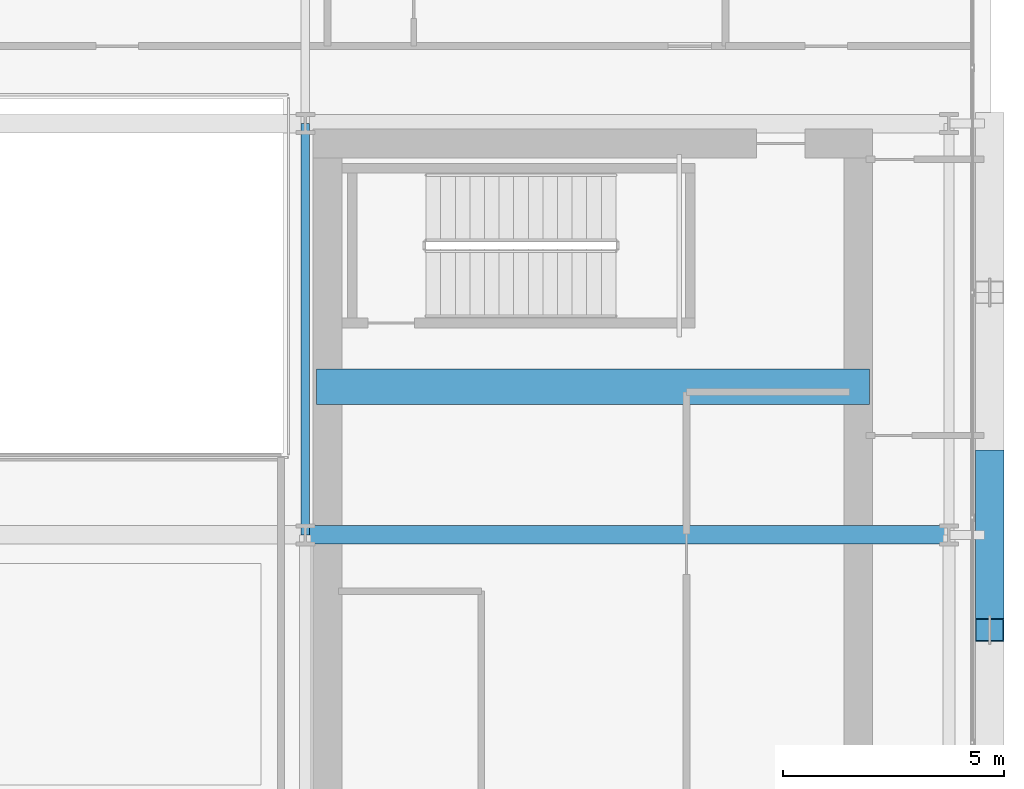
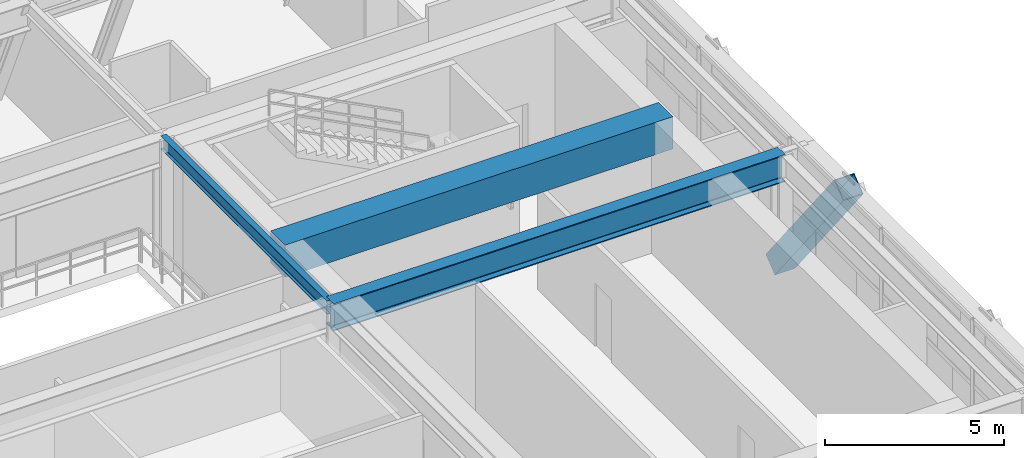
# One storey, part 14 of 35: 3 beams, 1 member.
"""IFC4 building model written with IfcOpenShell, lengths in metres."""

from ifc_helpers import new_model, si_unit, direction, frame, origin, origin_2d, place, context, subcontext, project, spatial, rectangle, hollow_rectangle, i_section, extrude, source, transform, mapped, material, material_profile, profile_set, type_object, element, save


model = new_model("IFC4")

# Units and contexts
model_context = context("Model", 3, precision=1e-05, world=origin(), true_north=direction((0.0, 1.0)))
body_context = subcontext(model_context, "Body", "Model", "MODEL_VIEW")
ifc_project = project(units=[si_unit("LENGTHUNIT", "METRE"), si_unit("AREAUNIT", "SQUARE_METRE"), si_unit("VOLUMEUNIT", "CUBIC_METRE"), si_unit("PLANEANGLEUNIT", "RADIAN"), si_unit("MASSUNIT", "GRAM", prefix="KILO")], contexts=[model_context])

# Site, building, storey
site_placement = place(None, origin())
site = spatial("IfcSite", under=ifc_project, at=site_placement, CompositionType="ELEMENT")
building_placement = place(site_placement, origin())
building = spatial("IfcBuilding", under=site, at=building_placement, Name="Ocotamira Hotel", CompositionType="ELEMENT")
storey_placement = place(building_placement, frame((0.0, 0.0, 158.39990234375)))
storey = spatial("IfcBuildingStorey", under=building, at=storey_placement, Name="L39", CompositionType="ELEMENT", Elevation=158.39990234375)

# Beams
ifc_material_1 = material(Name="Concrete C60/75", Category="concrete")
ifc_material_profile_1 = material_profile(ifc_material_1, rectangle(XDim=0.800048828125, YDim=1.10009765625, at=origin_2d()), Name="RC800X1100")
ifc_profile_set_1 = profile_set([ifc_material_profile_1], Name="Concrete C60/75")
beam_type_1 = type_object("IfcBeamType", Name="BM-LINK-RC800", PredefinedType="LINTEL", material=ifc_profile_set_1)
shared_shape_1 = source(origin(), body_context, "Body", "SweptSolid", [
    extrude(rectangle(XDim=0.800048828125, YDim=1.10009765625, at=origin_2d()), origin(), (0.0, 0.0, 1.0), 12.5),
])
beam_1_placement = place(storey_placement, frame((40.75, 31.5, 4.02001953125), z_axis=(1.0, 0.0, 0.0), x_axis=(0.0, 1.0, 0.0)))
element("IfcBeam", 1, at=beam_1_placement, inside=storey, type_object=beam_type_1, Name="L39 East Core Coupling Beam", PredefinedType="LINTEL", context=body_context, shape_type="MappedRepresentation", body=[
    mapped(shared_shape_1, transform((0.0, 0.0, 0.0), scale=1.0)),
])
ifc_material_2 = material(Name="Steel ASTM A992 Grade 50", Category="steel")
ifc_material_profile_2 = material_profile(ifc_material_2, i_section(OverallWidth=0.41796875, OverallDepth=0.927001953125, WebThickness=0.019287109375, FlangeThickness=0.031982421875, FilletRadius=0.02392578125, at=origin_2d()), Name="W36X231")
ifc_profile_set_2 = profile_set([ifc_material_profile_2], Name="Steel ASTM A992 Grade 50")
beam_type_2 = type_object("IfcBeamType", Name="BM-GIRD-W36X231", PredefinedType="BEAM", material=ifc_profile_set_2)
shared_shape_2 = source(origin(), body_context, "Body", "SweptSolid", [
    extrude(i_section(OverallWidth=0.41796875, OverallDepth=0.927001953125, WebThickness=0.019287109375, FlangeThickness=0.031982421875, FilletRadius=0.02392578125, at=origin_2d()), origin(), (0.0, 0.0, 1.0), 14.550048828125),
])
beam_2_placement = place(storey_placement, frame((40.5, 28.14990234375, 4.106689453125), z_axis=(1.0, 0.0, 0.0), x_axis=(0.0, 1.0, 0.0)))
element("IfcBeam", 2, at=beam_2_placement, inside=storey, type_object=beam_type_2, Name="L39 Girder Y28.15 X40.5-55.05", PredefinedType="BEAM", context=body_context, shape_type="MappedRepresentation", body=[
    mapped(shared_shape_2, transform((0.0, 0.0, 0.0), scale=1.0)),
])
ifc_material_profile_3 = material_profile(ifc_material_2, i_section(OverallWidth=0.18994140625, OverallDepth=0.45703125, WebThickness=0.009033203125, FlangeThickness=0.014404296875, FilletRadius=0.010009765625, at=origin_2d()), Name="W18X50")
ifc_profile_set_3 = profile_set([ifc_material_profile_3], Name="Steel ASTM A992 Grade 50")
beam_type_3 = type_object("IfcBeamType", Name="BM-SEC-W18X50", PredefinedType="JOIST", material=ifc_profile_set_3)
shared_shape_3 = source(origin(), body_context, "Body", "SweptSolid", [
    extrude(i_section(OverallWidth=0.18994140625, OverallDepth=0.45703125, WebThickness=0.009033203125, FlangeThickness=0.014404296875, FilletRadius=0.010009765625, at=origin_2d()), origin(), (0.0, 0.0, 1.0), 9.300048828125),
])
beam_3_placement = place(storey_placement, frame((40.5, 28.14990234375, 4.341552734375), z_axis=(0.0, 1.0, 0.0), x_axis=(-1.0, 0.0, 0.0)))
element("IfcBeam", 3, at=beam_3_placement, inside=storey, type_object=beam_type_3, Name="L39 Beam X40.5 Y28.15-37.45", PredefinedType="JOIST", context=body_context, shape_type="MappedRepresentation", body=[
    mapped(shared_shape_3, transform((0.0, 0.0, 0.0), scale=1.0)),
])

# Member
ifc_material_3 = material(Name="Pale-metal coated steel ASTM A913 Grade 65", Category="steel")
ifc_material_profile_4 = material_profile(ifc_material_3, hollow_rectangle(XDim=0.64990234375, YDim=0.64990234375, WallThickness=0.02197265625, at=origin_2d()), Name="BOX650X650X22")
ifc_profile_set_4 = profile_set([ifc_material_profile_4], Name="Pale-metal coated steel ASTM A913 Grade 65")
member_type = type_object("IfcMemberType", Name="MEM-EXO-BOX650", PredefinedType="BRACE", material=ifc_profile_set_4)
shared_shape_4 = source(origin(), body_context, "Body", "SweptSolid", [
    extrude(hollow_rectangle(XDim=0.64990234375, YDim=0.64990234375, WallThickness=0.02197265625, at=origin_2d()), origin(), (0.0, 0.0, 1.0), 6.171630859375),
])
member_placement = place(storey_placement, frame((55.969970703125, 29.816650390625, -0.52978515625), z_axis=(0.0, -0.618427608591, 0.785841773471), x_axis=(1.0, 0.0, 0.0)))
element("IfcMember", 4, at=member_placement, inside=storey, type_object=member_type, Name="L39 Exoskeleton Diagrid E1.2", PredefinedType="BRACE", context=body_context, shape_type="MappedRepresentation", body=[
    mapped(shared_shape_4, transform((0.0, 0.0, 0.0), scale=1.0)),
])

save(model, "model.ifc")
